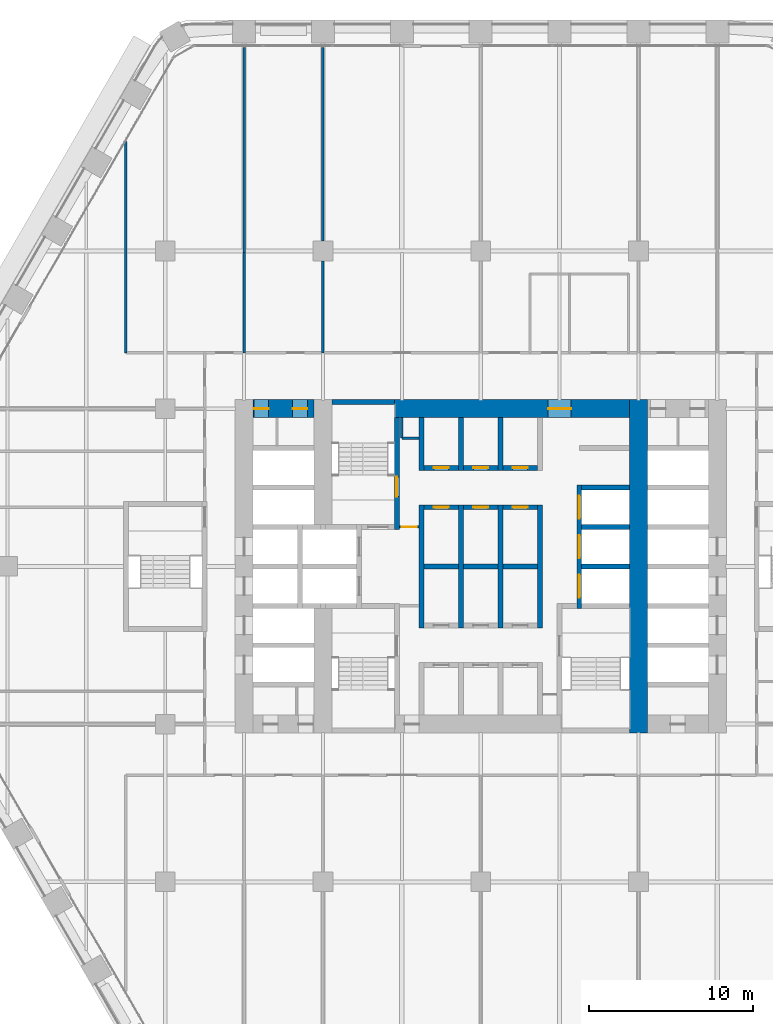
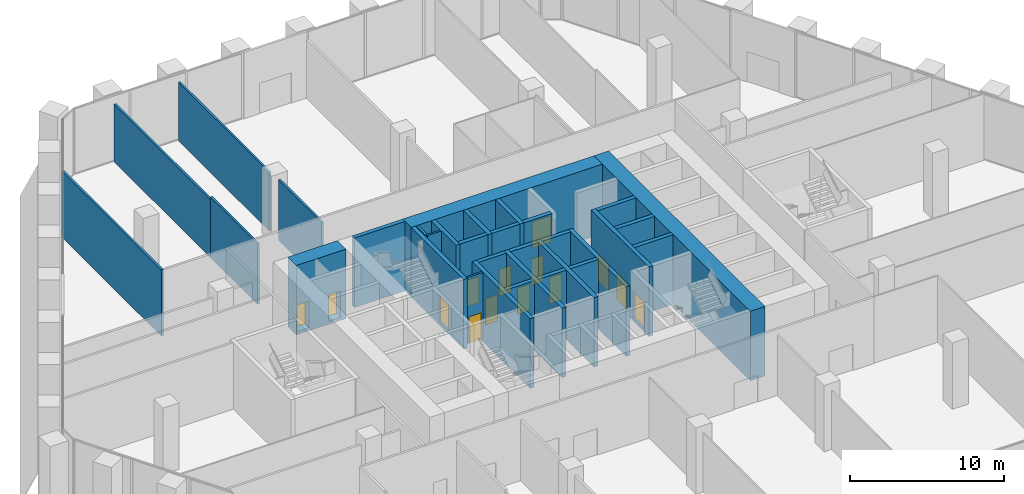
# One storey, part 20 of 27: 33 walls, 14 doors, 14 openings.
"""IFC4 building model written with IfcOpenShell, lengths in metres."""

from ifc_helpers import new_model, si_unit, direction, frame, frame_2d, origin, place, context, subcontext, project, spatial, rectangle, extrude, material, layer, layer_set, type_object, element, fill, save


model = new_model("IFC4")

# Units and contexts
model_context = context("Model", 3, precision=1e-05, world=origin(), true_north=direction((0.0, 1.0)))
body_context = subcontext(model_context, "Body", "Model", "MODEL_VIEW")
ifc_project = project(units=[si_unit("LENGTHUNIT", "METRE"), si_unit("AREAUNIT", "SQUARE_METRE"), si_unit("VOLUMEUNIT", "CUBIC_METRE"), si_unit("PLANEANGLEUNIT", "RADIAN"), si_unit("MASSUNIT", "GRAM", prefix="KILO")], contexts=[model_context])

# Site, building, storey
site_placement = place(None, origin())
site = spatial("IfcSite", under=ifc_project, at=site_placement, CompositionType="ELEMENT")
building_placement = place(site_placement, origin())
building = spatial("IfcBuilding", under=site, at=building_placement, Name="Kolab Exchange Tower", CompositionType="ELEMENT")
storey_placement = place(building_placement, frame((0.0, 0.0, 22.39990234375)))
storey = spatial("IfcBuildingStorey", under=building, at=storey_placement, Name="L04", CompositionType="ELEMENT", Elevation=22.39990234375)

# Wall, openings, doors
ifc_material_1 = material(Name="Concrete C80/95", Category="concrete")
ifc_layer_1 = layer(ifc_material_1, 1.10009765625)
ifc_layer_set_1 = layer_set([ifc_layer_1], Name="Concrete C80/95")
wall_type_1 = type_object("IfcWallType", Name="CORE WALL 1100 C80/95", PredefinedType="SHEAR", material=ifc_layer_set_1)
wall_1_placement = place(storey_placement, frame((-13.85009765625, 9.60009765625, -0.25), z_axis=(0.0, 0.0, 1.0), x_axis=(1.0, 0.0, 0.0)))
wall_1 = element("IfcWall", 1, at=wall_1_placement, inside=storey, type_object=wall_type_1, Name="wall/L04/core/051", PredefinedType="SHEAR", context=body_context, shape_type="SweptSolid", body=[
    extrude(rectangle(XDim=3.7001953125, YDim=1.10009765625, at=frame_2d((1.85009765625, 0.0))), origin(), (0.0, 0.0, 1.0), 5.5),
])
opening_1_placement = place(wall_1_placement, frame((0.050048828125, 0.0, 0.25)))
opening_1 = element("IfcOpeningElement", 2, at=opening_1_placement, cuts=wall_1, Name="Opening D6-098", PredefinedType="OPENING", context=body_context, shape_type="SweptSolid", body=[
    extrude(rectangle(XDim=0.89990234375, YDim=2.10009765625, at=frame_2d((0.449951171875, 1.050048828125))), frame((0.0, 0.56005859375, 0.0), z_axis=(0.0, -1.0, 0.0), x_axis=(1.0, 0.0, 0.0)), (0.0, 0.0, 1.0), 1.1201171875),
])
opening_2_placement = place(wall_1_placement, frame((2.39990234375, 0.0, 0.25)))
opening_2 = element("IfcOpeningElement", 3, at=opening_2_placement, cuts=wall_1, Name="Opening D6-099", PredefinedType="OPENING", context=body_context, shape_type="SweptSolid", body=[
    extrude(rectangle(XDim=0.89990234375, YDim=2.10009765625, at=frame_2d((0.449951171875, 1.050048828125))), frame((0.0, 0.56005859375, 0.0), z_axis=(0.0, -1.0, 0.0), x_axis=(1.0, 0.0, 0.0)), (0.0, 0.0, 1.0), 1.1201171875),
])
ifc_material_2 = material(Name="Steel S235", Category="steel")
door_type_1 = type_object("IfcDoorType", Name="CORE DOOR 900 EI 120", OperationType="SINGLE_SWING_LEFT", PredefinedType="DOOR", material=ifc_material_2)
door_1_placement = place(opening_1_placement, frame((0.89990234375, 0.0, 0.0), z_axis=(0.0, 0.0, 1.0), x_axis=(-1.0, 0.0, 0.0)))
door_1 = element("IfcDoor", 4, at=door_1_placement, inside=storey, type_object=door_type_1, Name="Service room door", OperationType="SINGLE_SWING_RIGHT", OverallHeight=2.10009765625, OverallWidth=0.89990234375, PredefinedType="DOOR", context=body_context, shape_type="SweptSolid", body=[
    extrude(rectangle(XDim=0.89990234375, YDim=2.10009765625, at=frame_2d((0.449951171875, 1.050048828125))), frame((0.0, 0.02490234375, 0.0), z_axis=(0.0, -1.0, 0.0), x_axis=(1.0, 0.0, 0.0)), (0.0, 0.0, 1.0), 0.050048828125),
])
fill(opening_1, door_1)
door_2_placement = place(opening_2_placement, frame((0.89990234375, 0.0, 0.0), z_axis=(0.0, 0.0, 1.0), x_axis=(-1.0, 0.0, 0.0)))
door_2 = element("IfcDoor", 5, at=door_2_placement, inside=storey, type_object=door_type_1, Name="Service room door", OperationType="SINGLE_SWING_LEFT", OverallHeight=2.10009765625, OverallWidth=0.89990234375, PredefinedType="DOOR", context=body_context, shape_type="SweptSolid", body=[
    extrude(rectangle(XDim=0.89990234375, YDim=2.10009765625, at=frame_2d((0.449951171875, 1.050048828125))), frame((0.0, 0.02490234375, 0.0), z_axis=(0.0, -1.0, 0.0), x_axis=(1.0, 0.0, 0.0)), (0.0, 0.0, 1.0), 0.050048828125),
])
fill(opening_2, door_2)

# Wall, opening, door
wall_2_placement = place(storey_placement, frame((-5.25, 9.60009765625, -0.25), z_axis=(0.0, 0.0, 1.0), x_axis=(1.0, 0.0, 0.0)))
wall_2 = element("IfcWall", 6, at=wall_2_placement, inside=storey, type_object=wall_type_1, Name="wall/L04/core/052", PredefinedType="SHEAR", context=body_context, shape_type="SweptSolid", body=[
    extrude(rectangle(XDim=14.300048828125, YDim=1.10009765625, at=frame_2d((7.14990234375, 0.0))), origin(), (0.0, 0.0, 1.0), 5.5),
])
opening_3_placement = place(wall_2_placement, frame((9.35009765625, 0.0, 0.25)))
opening_3 = element("IfcOpeningElement", 7, at=opening_3_placement, cuts=wall_2, Name="Opening D5-005", PredefinedType="OPENING", context=body_context, shape_type="SweptSolid", body=[
    extrude(rectangle(XDim=1.39990234375, YDim=2.10009765625, at=frame_2d((0.699951171875, 1.050048828125))), frame((0.0, 0.56005859375, 0.0), z_axis=(0.0, -1.0, 0.0), x_axis=(1.0, 0.0, 0.0)), (0.0, 0.0, 1.0), 1.1201171875),
])
door_type_2 = type_object("IfcDoorType", Name="CORE DOOR 1400 EI 120", OperationType="DOUBLE_DOOR_SINGLE_SWING", PredefinedType="DOOR", material=ifc_material_2)
door_3_placement = place(opening_3_placement, frame((1.39990234375, 0.0, 0.0), z_axis=(0.0, 0.0, 1.0), x_axis=(-1.0, 0.0, 0.0)))
door_3 = element("IfcDoor", 8, at=door_3_placement, inside=storey, type_object=door_type_2, Name="Core lobby door", OperationType="SINGLE_SWING_LEFT", OverallHeight=2.10009765625, OverallWidth=1.39990234375, PredefinedType="DOOR", context=body_context, shape_type="SweptSolid", body=[
    extrude(rectangle(XDim=1.39990234375, YDim=2.10009765625, at=frame_2d((0.699951171875, 1.050048828125))), frame((0.0, 0.02490234375, 0.0), z_axis=(0.0, -1.0, 0.0), x_axis=(1.0, 0.0, 0.0)), (0.0, 0.0, 1.0), 0.050048828125),
])
fill(opening_3, door_3)

# Walls
wall_3_placement = place(storey_placement, frame((9.60009765625, -10.14990234375, -0.25), z_axis=(0.0, 0.0, 1.0), x_axis=(0.0, 1.0, 0.0)))
element("IfcWall", 9, at=wall_3_placement, inside=storey, type_object=wall_type_1, Name="wall/L04/core/080", PredefinedType="SHEAR", context=body_context, shape_type="SweptSolid", body=[
    extrude(rectangle(XDim=20.2998046875, YDim=1.10009765625, at=frame_2d((10.14990234375, 0.0))), origin(), (0.0, 0.0, 1.0), 5.5),
])
ifc_material_3 = material(Name="Concrete C50/60", Category="concrete")
ifc_layer_2 = layer(ifc_material_3, 0.300048828125)
ifc_layer_set_2 = layer_set([ifc_layer_2], Name="Concrete C50/60")
wall_type_2 = type_object("IfcWallType", Name="LIFT SHAFT WALL 300 C50/60", PredefinedType="STANDARD", material=ifc_layer_set_2)
wall_4_placement = place(storey_placement, frame((-3.449951171875, 0.0, -0.25), z_axis=(0.0, 0.0, 1.0), x_axis=(1.0, 0.0, 0.0)))
element("IfcWall", 10, at=wall_4_placement, inside=storey, type_object=wall_type_2, Name="wall/L04/core/026", PredefinedType="STANDARD", context=body_context, shape_type="SweptSolid", body=[
    extrude(rectangle(XDim=2.099853515625, YDim=0.300048828125, at=frame_2d((1.0498046875, 0.0))), origin(), (0.0, 0.0, 1.0), 5.5),
])
wall_5_placement = place(storey_placement, frame((-1.050048828125, 0.0, -0.25), z_axis=(0.0, 0.0, 1.0), x_axis=(1.0, 0.0, 0.0)))
element("IfcWall", 11, at=wall_5_placement, inside=storey, type_object=wall_type_2, Name="wall/L04/core/027", PredefinedType="STANDARD", context=body_context, shape_type="SweptSolid", body=[
    extrude(rectangle(XDim=2.10009765625, YDim=0.300048828125, at=frame_2d((1.050048828125, 0.0))), origin(), (0.0, 0.0, 1.0), 5.5),
])
wall_6_placement = place(storey_placement, frame((1.35009765625, 0.0, -0.25), z_axis=(0.0, 0.0, 1.0), x_axis=(1.0, 0.0, 0.0)))
element("IfcWall", 12, at=wall_6_placement, inside=storey, type_object=wall_type_2, Name="wall/L04/core/028", PredefinedType="STANDARD", context=body_context, shape_type="SweptSolid", body=[
    extrude(rectangle(XDim=2.099853515625, YDim=0.300048828125, at=frame_2d((1.0498046875, 0.0))), origin(), (0.0, 0.0, 1.0), 5.5),
])
for number, where, z_axis, x_axis, name in (
    (13, (6.14990234375, 0.0, -0.25), (0.0, 0.0, 1.0), (1.0, 0.0, 0.0), "wall/L04/core/029"),
    (14, (6.14990234375, 2.39990234375, -0.25), (0.0, 0.0, 1.0), (1.0, 0.0, 0.0), "wall/L04/core/035"),
):
    element("IfcWall", number, at=place(storey_placement, frame(where, z_axis=z_axis, x_axis=x_axis)), inside=storey, type_object=wall_type_2, Name=name, PredefinedType="STANDARD", context=body_context, shape_type="SweptSolid", body=[
        extrude(rectangle(XDim=2.900146484375, YDim=0.300048828125, at=frame_2d((1.4501953125, 0.0))), origin(), (0.0, 0.0, 1.0), 5.5),
    ])

# Wall, opening, door
wall_7_placement = place(storey_placement, frame((-3.449951171875, 3.60009765625, -0.25), z_axis=(0.0, 0.0, 1.0), x_axis=(1.0, 0.0, 0.0)))
wall_7 = element("IfcWall", 15, at=wall_7_placement, inside=storey, type_object=wall_type_2, Name="wall/L04/core/037", PredefinedType="STANDARD", context=body_context, shape_type="SweptSolid", body=[
    extrude(rectangle(XDim=2.099853515625, YDim=0.300048828125, at=frame_2d((1.0498046875, 0.0))), origin(), (0.0, 0.0, 1.0), 5.5),
])
opening_4_placement = place(wall_7_placement, frame((0.60009765625, 0.0, 0.25)))
opening_4 = element("IfcOpeningElement", 16, at=opening_4_placement, cuts=wall_7, Name="Opening D6-089", PredefinedType="OPENING", context=body_context, shape_type="SweptSolid", body=[
    extrude(rectangle(XDim=0.89990234375, YDim=2.10009765625, at=frame_2d((0.449951171875, 1.050048828125))), frame((0.0, 0.16015625, 0.0), z_axis=(0.0, -1.0, 0.0), x_axis=(1.0, 0.0, 0.0)), (0.0, 0.0, 1.0), 0.320068359375),
])
door_4_placement = place(opening_4_placement, frame((0.89990234375, 0.0, 0.0), z_axis=(0.0, 0.0, 1.0), x_axis=(-1.0, 0.0, 0.0)))
door_4 = element("IfcDoor", 17, at=door_4_placement, inside=storey, type_object=door_type_1, Name="Service room door", OperationType="SINGLE_SWING_LEFT", OverallHeight=2.10009765625, OverallWidth=0.89990234375, PredefinedType="DOOR", context=body_context, shape_type="SweptSolid", body=[
    extrude(rectangle(XDim=0.89990234375, YDim=2.10009765625, at=frame_2d((0.449951171875, 1.050048828125))), frame((0.0, 0.02490234375, 0.0), z_axis=(0.0, -1.0, 0.0), x_axis=(1.0, 0.0, 0.0)), (0.0, 0.0, 1.0), 0.050048828125),
])
fill(opening_4, door_4)

wall_8_placement = place(storey_placement, frame((-1.050048828125, 3.60009765625, -0.25), z_axis=(0.0, 0.0, 1.0), x_axis=(1.0, 0.0, 0.0)))
wall_8 = element("IfcWall", 18, at=wall_8_placement, inside=storey, type_object=wall_type_2, Name="wall/L04/core/038", PredefinedType="STANDARD", context=body_context, shape_type="SweptSolid", body=[
    extrude(rectangle(XDim=2.10009765625, YDim=0.300048828125, at=frame_2d((1.050048828125, 0.0))), origin(), (0.0, 0.0, 1.0), 5.5),
])
opening_5_placement = place(wall_8_placement, frame((0.60009765625, 0.0, 0.25)))
opening_5 = element("IfcOpeningElement", 19, at=opening_5_placement, cuts=wall_8, Name="Opening D6-088", PredefinedType="OPENING", context=body_context, shape_type="SweptSolid", body=[
    extrude(rectangle(XDim=0.89990234375, YDim=2.10009765625, at=frame_2d((0.449951171875, 1.050048828125))), frame((0.0, 0.16015625, 0.0), z_axis=(0.0, -1.0, 0.0), x_axis=(1.0, 0.0, 0.0)), (0.0, 0.0, 1.0), 0.320068359375),
])
door_5_placement = place(opening_5_placement, frame((0.89990234375, 0.0, 0.0), z_axis=(0.0, 0.0, 1.0), x_axis=(-1.0, 0.0, 0.0)))
door_5 = element("IfcDoor", 20, at=door_5_placement, inside=storey, type_object=door_type_1, Name="Service room door", OperationType="SINGLE_SWING_LEFT", OverallHeight=2.10009765625, OverallWidth=0.89990234375, PredefinedType="DOOR", context=body_context, shape_type="SweptSolid", body=[
    extrude(rectangle(XDim=0.89990234375, YDim=2.10009765625, at=frame_2d((0.449951171875, 1.050048828125))), frame((0.0, 0.02490234375, 0.0), z_axis=(0.0, -1.0, 0.0), x_axis=(1.0, 0.0, 0.0)), (0.0, 0.0, 1.0), 0.050048828125),
])
fill(opening_5, door_5)

wall_9_placement = place(storey_placement, frame((1.35009765625, 3.60009765625, -0.25), z_axis=(0.0, 0.0, 1.0), x_axis=(1.0, 0.0, 0.0)))
wall_9 = element("IfcWall", 21, at=wall_9_placement, inside=storey, type_object=wall_type_2, Name="wall/L04/core/039", PredefinedType="STANDARD", context=body_context, shape_type="SweptSolid", body=[
    extrude(rectangle(XDim=2.099853515625, YDim=0.300048828125, at=frame_2d((1.0498046875, 0.0))), origin(), (0.0, 0.0, 1.0), 5.5),
])
opening_6_placement = place(wall_9_placement, frame((0.60009765625, 0.0, 0.25)))
opening_6 = element("IfcOpeningElement", 22, at=opening_6_placement, cuts=wall_9, Name="Opening D6-087", PredefinedType="OPENING", context=body_context, shape_type="SweptSolid", body=[
    extrude(rectangle(XDim=0.89990234375, YDim=2.10009765625, at=frame_2d((0.449951171875, 1.050048828125))), frame((0.0, 0.16015625, 0.0), z_axis=(0.0, -1.0, 0.0), x_axis=(1.0, 0.0, 0.0)), (0.0, 0.0, 1.0), 0.320068359375),
])
door_6_placement = place(opening_6_placement, frame((0.89990234375, 0.0, 0.0), z_axis=(0.0, 0.0, 1.0), x_axis=(-1.0, 0.0, 0.0)))
door_6 = element("IfcDoor", 23, at=door_6_placement, inside=storey, type_object=door_type_1, Name="Service room door", OperationType="SINGLE_SWING_RIGHT", OverallHeight=2.10009765625, OverallWidth=0.89990234375, PredefinedType="DOOR", context=body_context, shape_type="SweptSolid", body=[
    extrude(rectangle(XDim=0.89990234375, YDim=2.10009765625, at=frame_2d((0.449951171875, 1.050048828125))), frame((0.0, 0.02490234375, 0.0), z_axis=(0.0, -1.0, 0.0), x_axis=(1.0, 0.0, 0.0)), (0.0, 0.0, 1.0), 0.050048828125),
])
fill(opening_6, door_6)

# Wall
wall_10_placement = place(storey_placement, frame((6.14990234375, 4.800048828125, -0.25), z_axis=(0.0, 0.0, 1.0), x_axis=(1.0, 0.0, 0.0)))
element("IfcWall", 24, at=wall_10_placement, inside=storey, type_object=wall_type_2, Name="wall/L04/core/043", PredefinedType="STANDARD", context=body_context, shape_type="SweptSolid", body=[
    extrude(rectangle(XDim=2.900146484375, YDim=0.300048828125, at=frame_2d((1.4501953125, 0.0))), origin(), (0.0, 0.0, 1.0), 5.5),
])

# Wall, opening, door
wall_11_placement = place(storey_placement, frame((-3.449951171875, 6.0, -0.25), z_axis=(0.0, 0.0, 1.0), x_axis=(1.0, 0.0, 0.0)))
wall_11 = element("IfcWall", 25, at=wall_11_placement, inside=storey, type_object=wall_type_2, Name="wall/L04/core/045", PredefinedType="STANDARD", context=body_context, shape_type="SweptSolid", body=[
    extrude(rectangle(XDim=2.099853515625, YDim=0.300048828125, at=frame_2d((1.0498046875, 0.0))), origin(), (0.0, 0.0, 1.0), 5.5),
])
opening_7_placement = place(wall_11_placement, frame((0.60009765625, 0.0, 0.25)))
opening_7 = element("IfcOpeningElement", 26, at=opening_7_placement, cuts=wall_11, Name="Opening D6-086", PredefinedType="OPENING", context=body_context, shape_type="SweptSolid", body=[
    extrude(rectangle(XDim=0.89990234375, YDim=2.10009765625, at=frame_2d((0.449951171875, 1.050048828125))), frame((0.0, 0.16015625, 0.0), z_axis=(0.0, -1.0, 0.0), x_axis=(1.0, 0.0, 0.0)), (0.0, 0.0, 1.0), 0.320068359375),
])
door_7_placement = place(opening_7_placement, origin())
door_7 = element("IfcDoor", 27, at=door_7_placement, inside=storey, type_object=door_type_1, Name="Service room door", OperationType="SINGLE_SWING_LEFT", OverallHeight=2.10009765625, OverallWidth=0.89990234375, PredefinedType="DOOR", context=body_context, shape_type="SweptSolid", body=[
    extrude(rectangle(XDim=0.89990234375, YDim=2.10009765625, at=frame_2d((0.449951171875, 1.050048828125))), frame((0.0, 0.02490234375, 0.0), z_axis=(0.0, -1.0, 0.0), x_axis=(1.0, 0.0, 0.0)), (0.0, 0.0, 1.0), 0.050048828125),
])
fill(opening_7, door_7)

wall_12_placement = place(storey_placement, frame((-1.050048828125, 6.0, -0.25), z_axis=(0.0, 0.0, 1.0), x_axis=(1.0, 0.0, 0.0)))
wall_12 = element("IfcWall", 28, at=wall_12_placement, inside=storey, type_object=wall_type_2, Name="wall/L04/core/046", PredefinedType="STANDARD", context=body_context, shape_type="SweptSolid", body=[
    extrude(rectangle(XDim=2.10009765625, YDim=0.300048828125, at=frame_2d((1.050048828125, 0.0))), origin(), (0.0, 0.0, 1.0), 5.5),
])
opening_8_placement = place(wall_12_placement, frame((0.60009765625, 0.0, 0.25)))
opening_8 = element("IfcOpeningElement", 29, at=opening_8_placement, cuts=wall_12, Name="Opening D6-085", PredefinedType="OPENING", context=body_context, shape_type="SweptSolid", body=[
    extrude(rectangle(XDim=0.89990234375, YDim=2.10009765625, at=frame_2d((0.449951171875, 1.050048828125))), frame((0.0, 0.16015625, 0.0), z_axis=(0.0, -1.0, 0.0), x_axis=(1.0, 0.0, 0.0)), (0.0, 0.0, 1.0), 0.320068359375),
])
door_8_placement = place(opening_8_placement, origin())
door_8 = element("IfcDoor", 30, at=door_8_placement, inside=storey, type_object=door_type_1, Name="Service room door", OperationType="SINGLE_SWING_RIGHT", OverallHeight=2.10009765625, OverallWidth=0.89990234375, PredefinedType="DOOR", context=body_context, shape_type="SweptSolid", body=[
    extrude(rectangle(XDim=0.89990234375, YDim=2.10009765625, at=frame_2d((0.449951171875, 1.050048828125))), frame((0.0, 0.02490234375, 0.0), z_axis=(0.0, -1.0, 0.0), x_axis=(1.0, 0.0, 0.0)), (0.0, 0.0, 1.0), 0.050048828125),
])
fill(opening_8, door_8)

wall_13_placement = place(storey_placement, frame((1.35009765625, 6.0, -0.25), z_axis=(0.0, 0.0, 1.0), x_axis=(1.0, 0.0, 0.0)))
wall_13 = element("IfcWall", 31, at=wall_13_placement, inside=storey, type_object=wall_type_2, Name="wall/L04/core/047", PredefinedType="STANDARD", context=body_context, shape_type="SweptSolid", body=[
    extrude(rectangle(XDim=2.099853515625, YDim=0.300048828125, at=frame_2d((1.0498046875, 0.0))), origin(), (0.0, 0.0, 1.0), 5.5),
])
opening_9_placement = place(wall_13_placement, frame((0.60009765625, 0.0, 0.25)))
opening_9 = element("IfcOpeningElement", 32, at=opening_9_placement, cuts=wall_13, Name="Opening D6-084", PredefinedType="OPENING", context=body_context, shape_type="SweptSolid", body=[
    extrude(rectangle(XDim=0.89990234375, YDim=2.10009765625, at=frame_2d((0.449951171875, 1.050048828125))), frame((0.0, 0.16015625, 0.0), z_axis=(0.0, -1.0, 0.0), x_axis=(1.0, 0.0, 0.0)), (0.0, 0.0, 1.0), 0.320068359375),
])
door_9_placement = place(opening_9_placement, origin())
door_9 = element("IfcDoor", 33, at=door_9_placement, inside=storey, type_object=door_type_1, Name="Service room door", OperationType="SINGLE_SWING_RIGHT", OverallHeight=2.10009765625, OverallWidth=0.89990234375, PredefinedType="DOOR", context=body_context, shape_type="SweptSolid", body=[
    extrude(rectangle(XDim=0.89990234375, YDim=2.10009765625, at=frame_2d((0.449951171875, 1.050048828125))), frame((0.0, 0.02490234375, 0.0), z_axis=(0.0, -1.0, 0.0), x_axis=(1.0, 0.0, 0.0)), (0.0, 0.0, 1.0), 0.050048828125),
])
fill(opening_9, door_9)

# Walls
wall_14_placement = place(storey_placement, frame((-3.60009765625, -3.75, -0.25), z_axis=(0.0, 0.0, 1.0), x_axis=(0.0, 1.0, 0.0)))
element("IfcWall", 34, at=wall_14_placement, inside=storey, type_object=wall_type_2, Name="wall/L04/core/067", PredefinedType="STANDARD", context=body_context, shape_type="SweptSolid", body=[
    extrude(rectangle(XDim=7.5, YDim=0.300048828125, at=frame_2d((3.75, 0.0))), origin(), (0.0, 0.0, 1.0), 5.5),
])
wall_15_placement = place(storey_placement, frame((-3.60009765625, 5.85009765625, -0.25), z_axis=(0.0, 0.0, 1.0), x_axis=(0.0, 1.0, 0.0)))
element("IfcWall", 35, at=wall_15_placement, inside=storey, type_object=wall_type_2, Name="wall/L04/core/068", PredefinedType="STANDARD", context=body_context, shape_type="SweptSolid", body=[
    extrude(rectangle(XDim=3.199951171875, YDim=0.300048828125, at=frame_2d((1.60009765625, 0.0))), origin(), (0.0, 0.0, 1.0), 5.5),
])
wall_16_placement = place(storey_placement, frame((-1.199951171875, -3.75, -0.25), z_axis=(0.0, 0.0, 1.0), x_axis=(0.0, 1.0, 0.0)))
element("IfcWall", 36, at=wall_16_placement, inside=storey, type_object=wall_type_2, Name="wall/L04/core/070", PredefinedType="STANDARD", context=body_context, shape_type="SweptSolid", body=[
    extrude(rectangle(XDim=7.5, YDim=0.300048828125, at=frame_2d((3.75, 0.0))), origin(), (0.0, 0.0, 1.0), 5.5),
])
wall_17_placement = place(storey_placement, frame((-1.199951171875, 5.85009765625, -0.25), z_axis=(0.0, 0.0, 1.0), x_axis=(0.0, 1.0, 0.0)))
element("IfcWall", 37, at=wall_17_placement, inside=storey, type_object=wall_type_2, Name="wall/L04/core/071", PredefinedType="STANDARD", context=body_context, shape_type="SweptSolid", body=[
    extrude(rectangle(XDim=3.199951171875, YDim=0.300048828125, at=frame_2d((1.60009765625, 0.0))), origin(), (0.0, 0.0, 1.0), 5.5),
])
wall_18_placement = place(storey_placement, frame((1.199951171875, -3.75, -0.25), z_axis=(0.0, 0.0, 1.0), x_axis=(0.0, 1.0, 0.0)))
element("IfcWall", 38, at=wall_18_placement, inside=storey, type_object=wall_type_2, Name="wall/L04/core/073", PredefinedType="STANDARD", context=body_context, shape_type="SweptSolid", body=[
    extrude(rectangle(XDim=7.5, YDim=0.300048828125, at=frame_2d((3.75, 0.0))), origin(), (0.0, 0.0, 1.0), 5.5),
])
wall_19_placement = place(storey_placement, frame((1.199951171875, 5.85009765625, -0.25), z_axis=(0.0, 0.0, 1.0), x_axis=(0.0, 1.0, 0.0)))
element("IfcWall", 39, at=wall_19_placement, inside=storey, type_object=wall_type_2, Name="wall/L04/core/074", PredefinedType="STANDARD", context=body_context, shape_type="SweptSolid", body=[
    extrude(rectangle(XDim=3.199951171875, YDim=0.300048828125, at=frame_2d((1.60009765625, 0.0))), origin(), (0.0, 0.0, 1.0), 5.5),
])
wall_20_placement = place(storey_placement, frame((3.60009765625, -3.75, -0.25), z_axis=(0.0, 0.0, 1.0), x_axis=(0.0, 1.0, 0.0)))
element("IfcWall", 40, at=wall_20_placement, inside=storey, type_object=wall_type_2, Name="wall/L04/core/076", PredefinedType="STANDARD", context=body_context, shape_type="SweptSolid", body=[
    extrude(rectangle(XDim=7.5, YDim=0.300048828125, at=frame_2d((3.75, 0.0))), origin(), (0.0, 0.0, 1.0), 5.5),
])

# Wall, openings, doors
wall_21_placement = place(storey_placement, frame((6.0, -2.550048828125, -0.25), z_axis=(0.0, 0.0, 1.0), x_axis=(0.0, 1.0, 0.0)))
wall_21 = element("IfcWall", 41, at=wall_21_placement, inside=storey, type_object=wall_type_2, Name="wall/L04/core/079", PredefinedType="STANDARD", context=body_context, shape_type="SweptSolid", body=[
    extrude(rectangle(XDim=7.5, YDim=0.300048828125, at=frame_2d((3.75, 0.0))), origin(), (0.0, 0.0, 1.0), 5.5),
])
opening_10_placement = place(wall_21_placement, frame((0.64990234375, 0.0, 0.25)))
opening_10 = element("IfcOpeningElement", 42, at=opening_10_placement, cuts=wall_21, Name="Opening LD3-013", PredefinedType="OPENING", context=body_context, shape_type="SweptSolid", body=[
    extrude(rectangle(XDim=1.39990234375, YDim=2.10009765625, at=frame_2d((0.699951171875, 1.050048828125))), frame((0.0, 0.16015625, 0.0), z_axis=(0.0, -1.0, 0.0), x_axis=(1.0, 0.0, 0.0)), (0.0, 0.0, 1.0), 0.320068359375),
])
opening_11_placement = place(wall_21_placement, frame((3.050048828125, 0.0, 0.25)))
opening_11 = element("IfcOpeningElement", 43, at=opening_11_placement, cuts=wall_21, Name="Opening LD3-014", PredefinedType="OPENING", context=body_context, shape_type="SweptSolid", body=[
    extrude(rectangle(XDim=1.39990234375, YDim=2.10009765625, at=frame_2d((0.699951171875, 1.050048828125))), frame((0.0, 0.16015625, 0.0), z_axis=(0.0, -1.0, 0.0), x_axis=(1.0, 0.0, 0.0)), (0.0, 0.0, 1.0), 0.320068359375),
])
opening_12_placement = place(wall_21_placement, frame((5.449951171875, 0.0, 0.25)))
opening_12 = element("IfcOpeningElement", 44, at=opening_12_placement, cuts=wall_21, Name="Opening LD3-015", PredefinedType="OPENING", context=body_context, shape_type="SweptSolid", body=[
    extrude(rectangle(XDim=1.39990234375, YDim=2.10009765625, at=frame_2d((0.699951171875, 1.050048828125))), frame((0.0, 0.16015625, 0.0), z_axis=(0.0, -1.0, 0.0), x_axis=(1.0, 0.0, 0.0)), (0.0, 0.0, 1.0), 0.320068359375),
])
ifc_material_4 = material(Name="Stainless steel 316", Category="steel")
door_type_3 = type_object("IfcDoorType", Name="LANDING DOOR 1400 SERVICE", OperationType="DOUBLE_DOOR_SLIDING", PredefinedType="DOOR", material=ifc_material_4)
door_10_placement = place(opening_10_placement, origin())
door_10 = element("IfcDoor", 45, at=door_10_placement, inside=storey, type_object=door_type_3, Name="Landing door SV1", OperationType="DOUBLE_DOOR_SLIDING", OverallHeight=2.10009765625, OverallWidth=1.39990234375, PredefinedType="DOOR", context=body_context, shape_type="SweptSolid", body=[
    extrude(rectangle(XDim=1.39990234375, YDim=2.10009765625, at=frame_2d((0.699951171875, 1.050048828125))), frame((0.0, 0.02490234375, 0.0), z_axis=(0.0, -1.0, 0.0), x_axis=(1.0, 0.0, 0.0)), (0.0, 0.0, 1.0), 0.050048828125),
])
fill(opening_10, door_10)
door_11_placement = place(opening_11_placement, origin())
door_11 = element("IfcDoor", 46, at=door_11_placement, inside=storey, type_object=door_type_3, Name="Landing door SV2", OperationType="DOUBLE_DOOR_SLIDING", OverallHeight=2.10009765625, OverallWidth=1.39990234375, PredefinedType="DOOR", context=body_context, shape_type="SweptSolid", body=[
    extrude(rectangle(XDim=1.39990234375, YDim=2.10009765625, at=frame_2d((0.699951171875, 1.050048828125))), frame((0.0, 0.02490234375, 0.0), z_axis=(0.0, -1.0, 0.0), x_axis=(1.0, 0.0, 0.0)), (0.0, 0.0, 1.0), 0.050048828125),
])
fill(opening_11, door_11)
door_12_placement = place(opening_12_placement, origin())
door_12 = element("IfcDoor", 47, at=door_12_placement, inside=storey, type_object=door_type_3, Name="Landing door SV3", OperationType="DOUBLE_DOOR_SLIDING", OverallHeight=2.10009765625, OverallWidth=1.39990234375, PredefinedType="DOOR", context=body_context, shape_type="SweptSolid", body=[
    extrude(rectangle(XDim=1.39990234375, YDim=2.10009765625, at=frame_2d((0.699951171875, 1.050048828125))), frame((0.0, 0.02490234375, 0.0), z_axis=(0.0, -1.0, 0.0), x_axis=(1.0, 0.0, 0.0)), (0.0, 0.0, 1.0), 0.050048828125),
])
fill(opening_12, door_12)

# Walls
ifc_material_5 = material(Name="Gypsum board", Category="gypsum")
ifc_layer_3 = layer(ifc_material_5, 0.14990234375)
ifc_layer_set_3 = layer_set([ifc_layer_3], Name="Gypsum board")
wall_type_3 = type_object("IfcWallType", Name="PARTITION 150 FIRE-RATED", PredefinedType="PARTITIONING", material=ifc_layer_set_3)
wall_22_placement = place(storey_placement, frame((-4.800048828125, 7.800048828125, 0.0), z_axis=(0.0, 0.0, 1.0), x_axis=(0.0, 1.0, 0.0)))
element("IfcWall", 48, at=wall_22_placement, inside=storey, type_object=wall_type_3, Name="Partition 017", PredefinedType="PARTITIONING", context=body_context, shape_type="SweptSolid", body=[
    extrude(rectangle(XDim=1.25, YDim=0.14990234375, at=frame_2d((0.625, 0.0))), origin(), (0.0, 0.0, 1.0), 5.25),
])
wall_23_placement = place(storey_placement, frame((-9.60009765625, 13.0, 0.0), z_axis=(0.0, 0.0, 1.0), x_axis=(0.0, 1.0, 0.0)))
element("IfcWall", 49, at=wall_23_placement, inside=storey, type_object=wall_type_3, Name="Partition 020", PredefinedType="PARTITIONING", context=body_context, shape_type="SweptSolid", body=[
    extrude(rectangle(XDim=5.60009765625, YDim=0.14990234375, at=frame_2d((2.800048828125, 0.0))), origin(), (0.0, 0.0, 1.0), 4.793212890625),
])
wall_24_placement = place(storey_placement, frame((-9.60009765625, 19.800048828125, 0.0), z_axis=(0.0, 0.0, 1.0), x_axis=(0.0, 1.0, 0.0)))
element("IfcWall", 50, at=wall_24_placement, inside=storey, type_object=wall_type_3, Name="Partition 021", PredefinedType="PARTITIONING", context=body_context, shape_type="SweptSolid", body=[
    extrude(rectangle(XDim=11.785400390625, YDim=0.14990234375, at=frame_2d((5.892578125, 0.0))), origin(), (0.0, 0.0, 1.0), 4.64208984375),
])
wall_25_placement = place(storey_placement, frame((-14.39990234375, 19.113037109375, 0.0), z_axis=(0.0, 0.0, 1.0), x_axis=(0.0, 1.0, 0.0)))
element("IfcWall", 51, at=wall_25_placement, inside=storey, type_object=wall_type_3, Name="Partition 025", PredefinedType="PARTITIONING", context=body_context, shape_type="SweptSolid", body=[
    extrude(rectangle(XDim=12.472412109375, YDim=0.14990234375, at=frame_2d((6.236328125, 0.0))), origin(), (0.0, 0.0, 1.0), 4.566162109375),
])
wall_26_placement = place(storey_placement, frame((-14.39990234375, 13.0, 0.0), z_axis=(0.0, 0.0, 1.0), x_axis=(0.0, 1.0, 0.0)))
element("IfcWall", 52, at=wall_26_placement, inside=storey, type_object=wall_type_3, Name="Partition 025", PredefinedType="PARTITIONING", context=body_context, shape_type="SweptSolid", body=[
    extrude(rectangle(XDim=6.113037109375, YDim=0.14990234375, at=frame_2d((3.056640625, 0.0))), origin(), (0.0, 0.0, 1.0), 4.793212890625),
])
wall_27_placement = place(storey_placement, frame((-21.60009765625, 13.0, 0.0), z_axis=(0.0, 0.0, 1.0), x_axis=(0.0, 1.0, 0.0)))
element("IfcWall", 53, at=wall_27_placement, inside=storey, type_object=wall_type_3, Name="Partition 029", PredefinedType="PARTITIONING", context=body_context, shape_type="SweptSolid", body=[
    extrude(rectangle(XDim=12.8583984375, YDim=0.14990234375, at=frame_2d((6.42919921875, 0.0))), origin(), (0.0, 0.0, 1.0), 5.25),
])
wall_28_placement = place(storey_placement, frame((-4.800048828125, 7.800048828125, 0.0), z_axis=(0.0, 0.0, 1.0), x_axis=(1.0, 0.0, 0.0)))
element("IfcWall", 54, at=wall_28_placement, inside=storey, type_object=wall_type_3, Name="Partition 043", PredefinedType="PARTITIONING", context=body_context, shape_type="SweptSolid", body=[
    extrude(rectangle(XDim=1.050048828125, YDim=0.14990234375, at=frame_2d((0.52490234375, 0.0))), origin(), (0.0, 0.0, 1.0), 5.25),
])

# Wall, opening, door
wall_29_placement = place(storey_placement, frame((-4.949951171875, 2.39990234375, 0.0), z_axis=(0.0, 0.0, 1.0), x_axis=(1.0, 0.0, 0.0)))
wall_29 = element("IfcWall", 55, at=wall_29_placement, inside=storey, type_object=wall_type_3, Name="Fire partition", PredefinedType="PARTITIONING", context=body_context, shape_type="SweptSolid", body=[
    extrude(rectangle(XDim=1.199951171875, YDim=0.14990234375, at=frame_2d((0.60009765625, 0.0))), origin(), (0.0, 0.0, 1.0), 5.25),
])
opening_13_placement = place(wall_29_placement, frame((0.14990234375, 0.0, 0.0)))
opening_13 = element("IfcOpeningElement", 56, at=opening_13_placement, cuts=wall_29, Name="Opening D6-097", PredefinedType="OPENING", context=body_context, shape_type="SweptSolid", body=[
    extrude(rectangle(XDim=0.89990234375, YDim=2.10009765625, at=frame_2d((0.449951171875, 1.050048828125))), frame((0.0, 0.0849609375, 0.0), z_axis=(0.0, -1.0, 0.0), x_axis=(1.0, 0.0, 0.0)), (0.0, 0.0, 1.0), 0.169921875),
])
door_13_placement = place(opening_13_placement, frame((0.89990234375, 0.0, 0.0), z_axis=(0.0, 0.0, 1.0), x_axis=(-1.0, 0.0, 0.0)))
door_13 = element("IfcDoor", 57, at=door_13_placement, inside=storey, type_object=door_type_1, Name="Firefighting lobby door", OperationType="SINGLE_SWING_RIGHT", OverallHeight=2.10009765625, OverallWidth=0.89990234375, PredefinedType="DOOR", context=body_context, shape_type="SweptSolid", body=[
    extrude(rectangle(XDim=0.89990234375, YDim=2.10009765625, at=frame_2d((0.449951171875, 1.050048828125))), frame((0.0, 0.02490234375, 0.0), z_axis=(0.0, -1.0, 0.0), x_axis=(1.0, 0.0, 0.0)), (0.0, 0.0, 1.0), 0.050048828125),
])
fill(opening_13, door_13)

# Wall
ifc_layer_4 = layer(ifc_material_3, 0.300048828125)
ifc_layer_set_4 = layer_set([ifc_layer_4], Name="Concrete C50/60")
wall_type_4 = type_object("IfcWallType", Name="STAIR ENCLOSURE WALL 300 C50/60", PredefinedType="STANDARD", material=ifc_layer_set_4)
wall_30_placement = place(storey_placement, frame((-9.050048828125, 10.0, -0.25), z_axis=(0.0, 0.0, 1.0), x_axis=(1.0, 0.0, 0.0)))
element("IfcWall", 58, at=wall_30_placement, inside=storey, type_object=wall_type_4, Name="wall/L04/core/054", PredefinedType="STANDARD", context=body_context, shape_type="SweptSolid", body=[
    extrude(rectangle(XDim=3.800048828125, YDim=0.300048828125, at=frame_2d((1.89990234375, 0.0))), origin(), (0.0, 0.0, 1.0), 5.5),
])

# Wall, opening, door
wall_31_placement = place(storey_placement, frame((-5.10009765625, 2.25, -0.25), z_axis=(0.0, 0.0, 1.0), x_axis=(0.0, 1.0, 0.0)))
wall_31 = element("IfcWall", 59, at=wall_31_placement, inside=storey, type_object=wall_type_4, Name="wall/L04/core/065", PredefinedType="STANDARD", context=body_context, shape_type="SweptSolid", body=[
    extrude(rectangle(XDim=6.800048828125, YDim=0.300048828125, at=frame_2d((3.39990234375, 0.0))), origin(), (0.0, 0.0, 1.0), 5.5),
])
opening_14_placement = place(wall_31_placement, frame((2.0, 0.0, 0.25)))
opening_14 = element("IfcOpeningElement", 60, at=opening_14_placement, cuts=wall_31, Name="Opening D4-020", PredefinedType="OPENING", context=body_context, shape_type="SweptSolid", body=[
    extrude(rectangle(XDim=1.199951171875, YDim=2.10009765625, at=frame_2d((0.60009765625, 1.050048828125))), frame((0.0, 0.16015625, 0.0), z_axis=(0.0, -1.0, 0.0), x_axis=(1.0, 0.0, 0.0)), (0.0, 0.0, 1.0), 0.320068359375),
])
door_type_4 = type_object("IfcDoorType", Name="STAIR DOOR 1200 EI 120", OperationType="SINGLE_SWING_LEFT", PredefinedType="DOOR", material=ifc_material_2)
door_14_placement = place(opening_14_placement, origin())
door_14 = element("IfcDoor", 61, at=door_14_placement, inside=storey, type_object=door_type_4, Name="Stair 1 door", OperationType="SINGLE_SWING_LEFT", OverallHeight=2.10009765625, OverallWidth=1.199951171875, PredefinedType="DOOR", context=body_context, shape_type="SweptSolid", body=[
    extrude(rectangle(XDim=1.199951171875, YDim=2.10009765625, at=frame_2d((0.60009765625, 1.050048828125))), frame((0.0, 0.02490234375, 0.0), z_axis=(0.0, -1.0, 0.0), x_axis=(1.0, 0.0, 0.0)), (0.0, 0.0, 1.0), 0.050048828125),
])
fill(opening_14, door_14)

save(model, "model.ifc")
